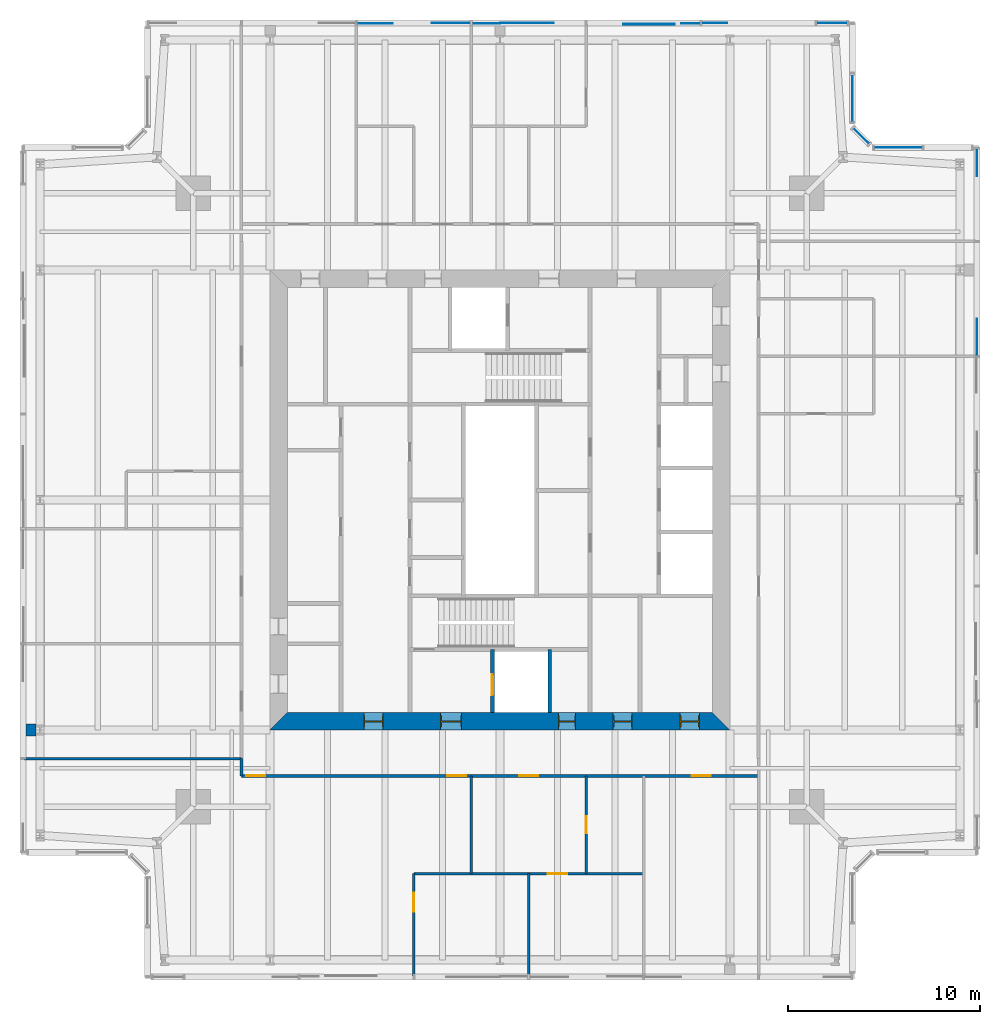
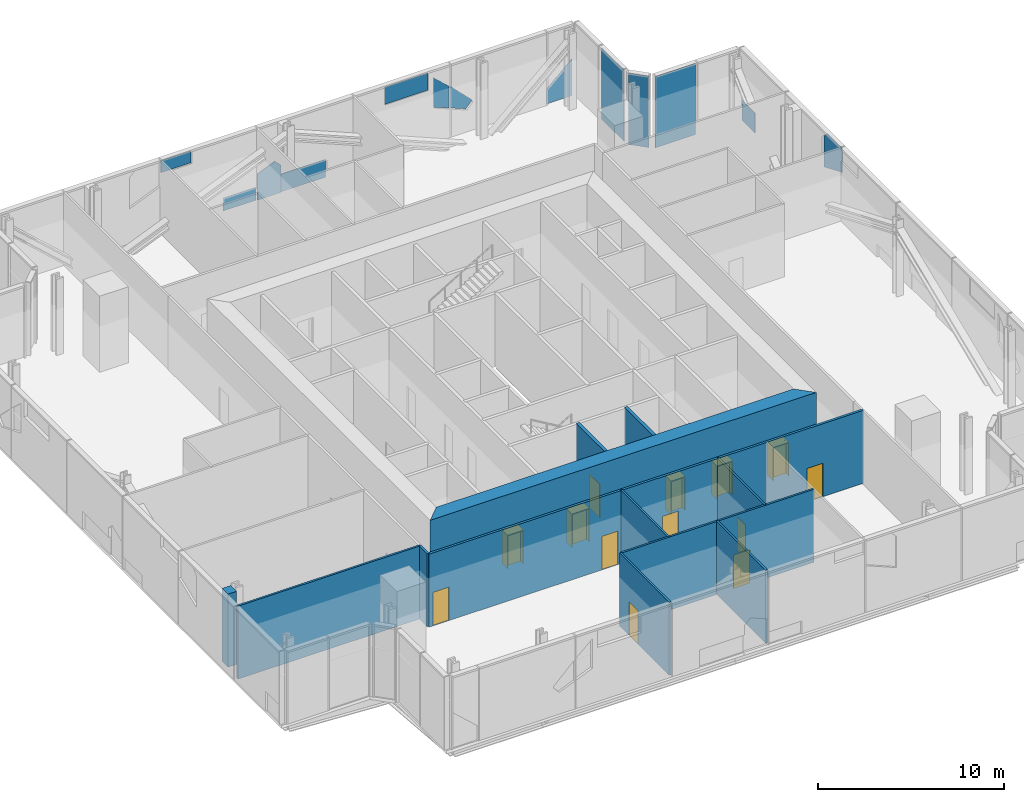
# One storey, part 7 of 15: 13 doors, 13 plates, 12 walls, 13 openings, 5 elements without a shape of their own.
"""IFC4 building model written with IfcOpenShell, lengths in metres."""

from ifc_helpers import new_model, si_unit, direction, frame, frame_2d, origin, origin_2d, place, context, subcontext, project, spatial, polyline, rectangle, outline, extrude, material, layer, layer_set, type_object, element, fill, aggregate, save


model = new_model("IFC4")

# Units and contexts
model_context = context("Model", 3, precision=1e-05, world=origin(), true_north=direction((0.0, 1.0)))
body_context = subcontext(model_context, "Body", "Model", "MODEL_VIEW")
ifc_project = project(units=[si_unit("LENGTHUNIT", "METRE"), si_unit("AREAUNIT", "SQUARE_METRE"), si_unit("VOLUMEUNIT", "CUBIC_METRE"), si_unit("PLANEANGLEUNIT", "RADIAN"), si_unit("MASSUNIT", "GRAM", prefix="KILO")], contexts=[model_context])

# Site, building, storey
site_placement = place(None, origin())
site = spatial("IfcSite", under=ifc_project, at=site_placement, CompositionType="ELEMENT")
building_placement = place(site_placement, origin())
building = spatial("IfcBuilding", under=site, at=building_placement, Name="Fenwick Lantern Interchange", CompositionType="ELEMENT")
storey_placement = place(building_placement, frame((0.0, 0.0, 296.800048828125)))
storey = spatial("IfcBuildingStorey", under=building, at=storey_placement, Name="L72", CompositionType="ELEMENT", Elevation=296.800048828125)

# Curtain wall, plates
ifc_material_1 = material(Name="Aluminium curtain wall frame", Category="aluminium")
curtain_wall_type = type_object("IfcCurtainWallType", Name="SKY LOBBY GLAZING", PredefinedType="USERDEFINED", material=ifc_material_1)
curtain_wall_1_placement = place(storey_placement, origin())
curtain_wall_1 = element("IfcCurtainWall", 1, at=curtain_wall_1_placement, inside=storey, type_object=curtain_wall_type, Name="Sky lobby glazing 05", ObjectType="SKY LOBBY GLAZING", PredefinedType="USERDEFINED")
ifc_material_2 = material(Name="Vision glass, clear laminated double glazed", Category="glass")
ifc_layer_1 = layer(ifc_material_2, 0.035888671875)
ifc_layer_set_1 = layer_set([ifc_layer_1], Name="SKY LOBBY GLAZING PANEL 36")
plate_type = type_object("IfcPlateType", Name="SKY LOBBY GLAZING PANEL 36", PredefinedType="CURTAIN_PANEL", material=ifc_layer_set_1)
plate_1_placement = place(storey_placement, frame((49.89990234375, 6.60009765625, 2.28857421875), z_axis=(0.0, 0.0, 1.0), x_axis=(0.0, 1.0, 0.0)))
plate_1 = element("IfcPlate", 2, at=plate_1_placement, type_object=plate_type, Name="L72/CW/05/P05a", PredefinedType="CURTAIN_PANEL", context=body_context, shape_type="SweptSolid", body=[
    extrude(outline(polyline([(27.85693359375, 0.0), (27.85693359375, 2.05908203125), (27.5244140625, 2.391357421875), (25.93994140625, 2.391357421875), (25.93994140625, 0.798828125), (27.85693359375, 0.0)])), frame((0.0, 0.01806640625, 0.0), z_axis=(0.0, -1.0, 0.0), x_axis=(1.0, 0.0, 0.0)), (0.0, 0.0, 1.0), 0.035888671875),
])
plate_2_placement = place(storey_placement, frame((49.89990234375, 6.60009765625, 0.0), z_axis=(0.0, 0.0, 1.0), x_axis=(0.0, 1.0, 0.0)))
plate_2 = element("IfcPlate", 3, at=plate_2_placement, type_object=plate_type, Name="L72/CW/05/P06a", PredefinedType="CURTAIN_PANEL", context=body_context, shape_type="SweptSolid", body=[
    extrude(outline(polyline([(35.2939453125, 0.0), (36.719970703125, 0.0), (36.719970703125, 1.29541015625), (35.2939453125, 1.29541015625), (35.2939453125, 0.0)])), frame((0.0, 0.01806640625, 0.0), z_axis=(0.0, -1.0, 0.0), x_axis=(1.0, 0.0, 0.0)), (0.0, 0.0, 1.0), 0.035888671875),
])
aggregate(curtain_wall_1, [plate_1, plate_2])

# Curtain wall, plate
curtain_wall_2_placement = place(storey_placement, origin())
curtain_wall_2 = element("IfcCurtainWall", 4, at=curtain_wall_2_placement, inside=storey, type_object=curtain_wall_type, Name="Sky lobby glazing 06", ObjectType="SKY LOBBY GLAZING", PredefinedType="USERDEFINED")
plate_3_placement = place(storey_placement, frame((45.788818359375, 43.39990234375, 0.0), z_axis=(0.0, 0.0, 1.0), x_axis=(-1.0, 0.0, 0.0)))
plate_3 = element("IfcPlate", 5, at=plate_3_placement, type_object=plate_type, Name="L72/CW/06/P01", PredefinedType="CURTAIN_PANEL", context=body_context, shape_type="SweptSolid", body=[
    extrude(rectangle(XDim=2.500732421875, YDim=0.035888671875, at=origin_2d()), origin(), (0.0, 0.0, 1.0), 4.679931640625),
])
aggregate(curtain_wall_2, [plate_3])

curtain_wall_3_placement = place(storey_placement, origin())
curtain_wall_3 = element("IfcCurtainWall", 6, at=curtain_wall_3_placement, inside=storey, type_object=curtain_wall_type, Name="Sky lobby glazing 07", ObjectType="SKY LOBBY GLAZING", PredefinedType="USERDEFINED")
plate_4_placement = place(storey_placement, frame((43.858642578125, 44.0, 0.0), z_axis=(0.0, 0.0, 1.0), x_axis=(-0.707106781187, 0.707106781187, 0.0)))
plate_4 = element("IfcPlate", 7, at=plate_4_placement, type_object=plate_type, Name="L72/CW/07/P00", PredefinedType="CURTAIN_PANEL", context=body_context, shape_type="SweptSolid", body=[
    extrude(rectangle(XDim=1.136962890625, YDim=0.035888671875, at=origin_2d()), origin(), (0.0, 0.0, 1.0), 4.679931640625),
])
aggregate(curtain_wall_3, [plate_4])

curtain_wall_4_placement = place(storey_placement, origin())
curtain_wall_4 = element("IfcCurtainWall", 8, at=curtain_wall_4_placement, inside=storey, type_object=curtain_wall_type, Name="Sky lobby glazing 08", ObjectType="SKY LOBBY GLAZING", PredefinedType="USERDEFINED")
plate_5_placement = place(storey_placement, frame((43.39990234375, 44.45849609375, 0.0), z_axis=(0.0, 0.0, 1.0), x_axis=(0.0, 1.0, 0.0)))
plate_5 = element("IfcPlate", 9, at=plate_5_placement, type_object=plate_type, Name="L72/CW/08/P00a", PredefinedType="CURTAIN_PANEL", context=body_context, shape_type="SweptSolid", body=[
    extrude(outline(polyline([(0.280029296875, 0.0), (2.741455078125, 0.0), (2.741455078125, 4.679931640625), (0.280029296875, 4.679931640625), (0.280029296875, 0.0)])), frame((0.0, 0.01806640625, 0.0), z_axis=(0.0, -1.0, 0.0), x_axis=(1.0, 0.0, 0.0)), (0.0, 0.0, 1.0), 0.035888671875),
])
aggregate(curtain_wall_4, [plate_5])

# Curtain wall, plates
curtain_wall_5_placement = place(storey_placement, origin())
curtain_wall_5 = element("IfcCurtainWall", 10, at=curtain_wall_5_placement, inside=storey, type_object=curtain_wall_type, Name="Sky lobby glazing 09", ObjectType="SKY LOBBY GLAZING", PredefinedType="USERDEFINED")
plate_6_placement = place(storey_placement, frame((43.39990234375, 49.89990234375, 0.0), z_axis=(0.0, 0.0, 1.0), x_axis=(-1.0, 0.0, 0.0)))
plate_6 = element("IfcPlate", 11, at=plate_6_placement, type_object=plate_type, Name="L72/CW/09/P00a", PredefinedType="CURTAIN_PANEL", context=body_context, shape_type="SweptSolid", body=[
    extrude(outline(polyline([(0.280029296875, 0.0), (1.860107421875, 0.0), (1.860107421875, 0.9736328125), (0.280029296875, 2.409912109375), (0.280029296875, 0.0)])), frame((0.0, 0.01806640625, 0.0), z_axis=(0.0, -1.0, 0.0), x_axis=(1.0, 0.0, 0.0)), (0.0, 0.0, 1.0), 0.035888671875),
])
plate_7_placement = place(storey_placement, frame((43.39990234375, 49.89990234375, 1.433837890625), z_axis=(0.0, 0.0, 1.0), x_axis=(-1.0, 0.0, 0.0)))
plate_7 = element("IfcPlate", 12, at=plate_7_placement, type_object=plate_type, Name="L72/CW/09/P01a", PredefinedType="CURTAIN_PANEL", context=body_context, shape_type="SweptSolid", body=[
    extrude(outline(polyline([(6.891845703125, 0.0), (7.860107421875, 0.403564453125), (7.860107421875, 1.812744140625), (7.64501953125, 1.61572265625), (6.548095703125, 0.5185546875), (6.548095703125, 0.386474609375), (6.891845703125, 0.0)])), frame((0.0, 0.01806640625, 0.0), z_axis=(0.0, -1.0, 0.0), x_axis=(1.0, 0.0, 0.0)), (0.0, 0.0, 1.0), 0.035888671875),
])
plate_8_placement = place(storey_placement, frame((43.39990234375, 49.89990234375, 1.87060546875), z_axis=(0.0, 0.0, 1.0), x_axis=(-1.0, 0.0, 0.0)))
plate_8 = element("IfcPlate", 13, at=plate_8_placement, type_object=plate_type, Name="L72/CW/09/P02a", PredefinedType="CURTAIN_PANEL", context=body_context, shape_type="SweptSolid", body=[
    extrude(outline(polyline([(7.93994140625, 0.0), (8.943115234375, 0.41796875), (8.943115234375, 2.36865234375), (7.93994140625, 1.44921875), (7.93994140625, 0.0)])), frame((0.0, 0.05615234375, 0.0), z_axis=(0.0, -1.0, 0.0), x_axis=(1.0, 0.0, 0.0)), (0.0, 0.0, 1.0), 0.035888671875),
])
plate_9_placement = place(storey_placement, frame((43.39990234375, 49.89990234375, 3.55322265625), z_axis=(0.0, 0.0, 1.0), x_axis=(-1.0, 0.0, 0.0)))
plate_9 = element("IfcPlate", 14, at=plate_9_placement, type_object=plate_type, Name="L72/CW/09/P02b", PredefinedType="CURTAIN_PANEL", context=body_context, shape_type="SweptSolid", body=[
    extrude(outline(polyline([(9.278076171875, 0.0), (11.978271484375, 0.0), (11.978271484375, 1.126708984375), (9.278076171875, 1.126708984375), (9.278076171875, 0.0)])), frame((0.0, 0.09375, 0.0), z_axis=(0.0, -1.0, 0.0), x_axis=(1.0, 0.0, 0.0)), (0.0, 0.0, 1.0), 0.035888671875),
])
plate_10_placement = place(storey_placement, frame((43.39990234375, 49.89990234375, 0.0), z_axis=(0.0, 0.0, 1.0), x_axis=(-1.0, 0.0, 0.0)))
plate_10 = element("IfcPlate", 15, at=plate_10_placement, type_object=plate_type, Name="L72/CW/09/P03a", PredefinedType="CURTAIN_PANEL", context=body_context, shape_type="SweptSolid", body=[
    extrude(outline(polyline([(15.60498046875, 0.0), (18.39990234375, 0.0), (18.39990234375, 1.164306640625), (15.60498046875, 1.164306640625), (15.60498046875, 0.0)])), frame((0.0, 0.01806640625, 0.0), z_axis=(0.0, -1.0, 0.0), x_axis=(1.0, 0.0, 0.0)), (0.0, 0.0, 1.0), 0.035888671875),
])
plate_11_placement = place(storey_placement, frame((43.39990234375, 49.89990234375, 0.0), z_axis=(0.0, 0.0, 1.0), x_axis=(-1.0, 0.0, 0.0)))
plate_11 = element("IfcPlate", 16, at=plate_11_placement, type_object=plate_type, Name="L72/CW/09/P03b", PredefinedType="CURTAIN_PANEL", context=body_context, shape_type="SweptSolid", body=[
    extrude(outline(polyline([(18.39990234375, 0.0), (19.860107421875, 0.0), (19.860107421875, 1.720703125), (18.770263671875, 2.174560546875), (18.39990234375, 1.804443359375), (18.39990234375, 0.0)])), frame((0.0, 0.05615234375, 0.0), z_axis=(0.0, -1.0, 0.0), x_axis=(1.0, 0.0, 0.0)), (0.0, 0.0, 1.0), 0.035888671875),
])
plate_12_placement = place(storey_placement, frame((43.39990234375, 49.89990234375, 0.0), z_axis=(0.0, 0.0, 1.0), x_axis=(-1.0, 0.0, 0.0)))
plate_12 = element("IfcPlate", 17, at=plate_12_placement, type_object=plate_type, Name="L72/CW/09/P04a", PredefinedType="CURTAIN_PANEL", context=body_context, shape_type="SweptSolid", body=[
    extrude(outline(polyline([(19.93994140625, 0.0), (21.965087890625, 0.0), (21.965087890625, 0.843505859375), (19.93994140625, 0.843505859375), (19.93994140625, 0.0)])), frame((0.0, 0.01806640625, 0.0), z_axis=(0.0, -1.0, 0.0), x_axis=(1.0, 0.0, 0.0)), (0.0, 0.0, 1.0), 0.035888671875),
])
plate_13_placement = place(storey_placement, frame((43.39990234375, 49.89990234375, 3.90087890625), z_axis=(0.0, 0.0, 1.0), x_axis=(-1.0, 0.0, 0.0)))
plate_13 = element("IfcPlate", 18, at=plate_13_placement, type_object=plate_type, Name="L72/CW/09/P04b", PredefinedType="CURTAIN_PANEL", context=body_context, shape_type="SweptSolid", body=[
    extrude(outline(polyline([(23.987548828125, 0.0), (25.860107421875, 0.0), (25.860107421875, 0.779052734375), (23.987548828125, 0.779052734375), (23.987548828125, 0.0)])), frame((0.0, 0.05615234375, 0.0), z_axis=(0.0, -1.0, 0.0), x_axis=(1.0, 0.0, 0.0)), (0.0, 0.0, 1.0), 0.035888671875),
])
aggregate(curtain_wall_5, [plate_6, plate_7, plate_8, plate_9, plate_10, plate_11, plate_12, plate_13])

# Wall
ifc_material_3 = material(Name="Fire-rated gypsum board encasement on steel studs, 2 hour", Category="steel")
ifc_layer_2 = layer(ifc_material_3, 0.631103515625)
ifc_layer_set_2 = layer_set([ifc_layer_2], Name="COLUMN PIER 631")
wall_type_1 = type_object("IfcWallType", Name="COLUMN PIER 631", PredefinedType="PARTITIONING", material=ifc_layer_set_2)
wall_1_placement = place(storey_placement, frame((0.25, 13.0, 0.0), z_axis=(0.0, 0.0, 1.0), x_axis=(1.0, 0.0, 0.0)))
element("IfcWall", 19, at=wall_1_placement, inside=storey, type_object=wall_type_1, Name="L72/W/PIER/CW4", PredefinedType="PARTITIONING", context=body_context, shape_type="SweptSolid", body=[
    extrude(rectangle(XDim=0.529052734375, YDim=0.631103515625, at=frame_2d((0.2646484375, 0.0))), origin(), (0.0, 0.0, 1.0), 4.800048828125),
])

# Wall, opening, door
ifc_material_4 = material(Name="Concrete masonry ASTM C90 Grade N", Category="masonry")
ifc_layer_3 = layer(ifc_material_4, 0.199951171875)
ifc_layer_set_3 = layer_set([ifc_layer_3], Name="Concrete masonry ASTM C90 Grade N")
wall_type_2 = type_object("IfcWallType", Name="CORE PARTITION 200", PredefinedType="PARTITIONING", material=ifc_layer_set_3)
wall_2_placement = place(storey_placement, frame((24.60009765625, 13.89990234375, 0.0), z_axis=(0.0, 0.0, 1.0), x_axis=(0.0, 1.0, 0.0)))
wall_2 = element("IfcWall", 20, at=wall_2_placement, inside=storey, type_object=wall_type_2, Name="L72/W/CORES/h1", PredefinedType="PARTITIONING", context=body_context, shape_type="SweptSolid", body=[
    extrude(rectangle(XDim=3.300048828125, YDim=0.199951171875, at=frame_2d((1.64990234375, 0.0))), origin(), (0.0, 0.0, 1.0), 4.800048828125),
])
opening_1_placement = place(wall_2_placement, frame((0.89990234375, 0.0, 0.0)))
opening_1 = element("IfcOpeningElement", 21, at=opening_1_placement, cuts=wall_2, Name="Opening LD-FL1", PredefinedType="OPENING", context=body_context, shape_type="SweptSolid", body=[
    extrude(rectangle(XDim=1.10009765625, YDim=2.199951171875, at=frame_2d((0.550048828125, 1.10009765625))), frame((0.0, 0.10986328125, 0.0), z_axis=(0.0, -1.0, 0.0), x_axis=(1.0, 0.0, 0.0)), (0.0, 0.0, 1.0), 0.219970703125),
])
ifc_material_5 = material(Name="Steel door and frame", Category="steel")
door_type_1 = type_object("IfcDoorType", Name="LIFT LANDING DOOR 1100 X 2200", OperationType="DOUBLE_DOOR_SLIDING", PredefinedType="DOOR", material=ifc_material_5)
door_1_placement = place(opening_1_placement, origin())
door_1 = element("IfcDoor", 22, at=door_1_placement, inside=storey, type_object=door_type_1, Name="Lift landing door FL1", OperationType="DOUBLE_DOOR_SLIDING", OverallHeight=2.199951171875, OverallWidth=1.10009765625, PredefinedType="DOOR", context=body_context, shape_type="SweptSolid", body=[
    extrude(rectangle(XDim=1.10009765625, YDim=2.199951171875, at=frame_2d((0.550048828125, 1.10009765625))), frame((0.0, 0.02490234375, 0.0), z_axis=(0.0, -1.0, 0.0), x_axis=(1.0, 0.0, 0.0)), (0.0, 0.0, 1.0), 0.050048828125),
])
fill(opening_1, door_1)

# Wall
wall_3_placement = place(storey_placement, frame((27.60009765625, 13.89990234375, 0.0), z_axis=(0.0, 0.0, 1.0), x_axis=(0.0, 1.0, 0.0)))
element("IfcWall", 23, at=wall_3_placement, inside=storey, type_object=wall_type_2, Name="L72/W/CORES/h2", PredefinedType="PARTITIONING", context=body_context, shape_type="SweptSolid", body=[
    extrude(rectangle(XDim=3.300048828125, YDim=0.199951171875, at=frame_2d((1.64990234375, 0.0))), origin(), (0.0, 0.0, 1.0), 4.800048828125),
])

# Wall, openings, doors
ifc_material_6 = material(Name="Concrete f'c 70 MPa", Category="concrete")
ifc_layer_4 = layer(ifc_material_6, 0.89990234375)
ifc_layer_set_4 = layer_set([ifc_layer_4], Name="CORE WALL 900")
wall_type_3 = type_object("IfcWallType", Name="CORE WALL 900", PredefinedType="SHEAR", material=ifc_layer_set_4)
wall_4_placement = place(storey_placement, frame((13.0, 13.449951171875, 0.0), z_axis=(0.0, 0.0, 1.0), x_axis=(1.0, 0.0, 0.0)))
wall_4 = element("IfcWall", 24, at=wall_4_placement, inside=storey, type_object=wall_type_3, Name="L72/CORE/S", PredefinedType="SHEAR", context=body_context, shape_type="SweptSolid", body=[
    extrude(outline(polyline([(0.0, -0.449951171875), (24.0, -0.449951171875), (23.10009765625, 0.449951171875), (0.89990234375, 0.449951171875), (0.0, -0.449951171875)])), origin(), (0.0, 0.0, 1.0), 5.0),
])
opening_2_placement = place(wall_4_placement, frame((4.89990234375, 0.0, 0.0)))
opening_2 = element("IfcOpeningElement", 25, at=opening_2_placement, cuts=wall_4, Name="Opening L72-D001", PredefinedType="OPENING", context=body_context, shape_type="SweptSolid", body=[
    extrude(rectangle(XDim=1.0, YDim=2.199951171875, at=frame_2d((0.5, 1.10009765625))), frame((0.0, 0.4599609375, 0.0), z_axis=(0.0, -1.0, 0.0), x_axis=(1.0, 0.0, 0.0)), (0.0, 0.0, 1.0), 0.919921875),
])
opening_3_placement = place(wall_4_placement, frame((8.89990234375, 0.0, 0.0)))
opening_3 = element("IfcOpeningElement", 26, at=opening_3_placement, cuts=wall_4, Name="Opening L72-D002", PredefinedType="OPENING", context=body_context, shape_type="SweptSolid", body=[
    extrude(rectangle(XDim=1.10009765625, YDim=2.199951171875, at=frame_2d((0.550048828125, 1.10009765625))), frame((0.0, 0.4599609375, 0.0), z_axis=(0.0, -1.0, 0.0), x_axis=(1.0, 0.0, 0.0)), (0.0, 0.0, 1.0), 0.919921875),
])
opening_4_placement = place(wall_4_placement, frame((15.050048828125, 0.0, 0.0)))
opening_4 = element("IfcOpeningElement", 27, at=opening_4_placement, cuts=wall_4, Name="Opening L72-D004", PredefinedType="OPENING", context=body_context, shape_type="SweptSolid", body=[
    extrude(rectangle(XDim=0.89990234375, YDim=2.199951171875, at=frame_2d((0.449951171875, 1.10009765625))), frame((0.0, 0.4599609375, 0.0), z_axis=(0.0, -1.0, 0.0), x_axis=(1.0, 0.0, 0.0)), (0.0, 0.0, 1.0), 0.919921875),
])
opening_5_placement = place(wall_4_placement, frame((17.89990234375, 0.0, 0.0)))
opening_5 = element("IfcOpeningElement", 28, at=opening_5_placement, cuts=wall_4, Name="Opening L72-D005", PredefinedType="OPENING", context=body_context, shape_type="SweptSolid", body=[
    extrude(rectangle(XDim=1.0, YDim=2.199951171875, at=frame_2d((0.5, 1.10009765625))), frame((0.0, 0.4599609375, 0.0), z_axis=(0.0, -1.0, 0.0), x_axis=(1.0, 0.0, 0.0)), (0.0, 0.0, 1.0), 0.919921875),
])
opening_6_placement = place(wall_4_placement, frame((21.39990234375, 0.0, 0.0)))
opening_6 = element("IfcOpeningElement", 29, at=opening_6_placement, cuts=wall_4, Name="Opening L72-D006", PredefinedType="OPENING", context=body_context, shape_type="SweptSolid", body=[
    extrude(rectangle(XDim=1.0, YDim=2.199951171875, at=frame_2d((0.5, 1.10009765625))), frame((0.0, 0.4599609375, 0.0), z_axis=(0.0, -1.0, 0.0), x_axis=(1.0, 0.0, 0.0)), (0.0, 0.0, 1.0), 0.919921875),
])
door_type_2 = type_object("IfcDoorType", Name="CORE LOBBY DOOR 1000 X 2200", OperationType="SINGLE_SWING_LEFT", PredefinedType="DOOR", material=ifc_material_5)
door_2_placement = place(opening_2_placement, origin())
door_2 = element("IfcDoor", 30, at=door_2_placement, inside=storey, type_object=door_type_2, Name="Core lobby door", OperationType="SINGLE_SWING_LEFT", OverallHeight=2.199951171875, OverallWidth=1.0, PredefinedType="DOOR", context=body_context, shape_type="SweptSolid", body=[
    extrude(rectangle(XDim=1.0, YDim=2.199951171875, at=frame_2d((0.5, 1.10009765625))), frame((0.0, 0.02490234375, 0.0), z_axis=(0.0, -1.0, 0.0), x_axis=(1.0, 0.0, 0.0)), (0.0, 0.0, 1.0), 0.050048828125),
    extrude(outline(polyline([(0.0, 0.0), (0.0400390625, 0.0), (0.0400390625, 2.159912109375), (0.9599609375, 2.159912109375), (0.9599609375, 0.0), (1.0, 0.0), (1.0, 2.199951171875), (0.0, 2.199951171875), (0.0, 0.0)])), frame((0.0, 0.300048828125, 0.0), z_axis=(0.0, -1.0, 0.0), x_axis=(1.0, 0.0, 0.0)), (0.0, 0.0, 1.0), 0.60009765625),
])
fill(opening_2, door_2)
door_type_3 = type_object("IfcDoorType", Name="FIRE LOBBY DOOR 1100 X 2200", OperationType="SINGLE_SWING_LEFT", PredefinedType="DOOR", material=ifc_material_5)
door_3_placement = place(opening_3_placement, origin())
door_3 = element("IfcDoor", 31, at=door_3_placement, inside=storey, type_object=door_type_3, Name="Fire lobby door", OperationType="SINGLE_SWING_LEFT", OverallHeight=2.199951171875, OverallWidth=1.10009765625, PredefinedType="DOOR", context=body_context, shape_type="SweptSolid", body=[
    extrude(rectangle(XDim=1.10009765625, YDim=2.199951171875, at=frame_2d((0.550048828125, 1.10009765625))), frame((0.0, 0.02490234375, 0.0), z_axis=(0.0, -1.0, 0.0), x_axis=(1.0, 0.0, 0.0)), (0.0, 0.0, 1.0), 0.050048828125),
    extrude(outline(polyline([(0.0, 0.0), (0.0400390625, 0.0), (0.0400390625, 2.159912109375), (1.06005859375, 2.159912109375), (1.06005859375, 0.0), (1.10009765625, 0.0), (1.10009765625, 2.199951171875), (0.0, 2.199951171875), (0.0, 0.0)])), frame((0.0, 0.300048828125, 0.0), z_axis=(0.0, -1.0, 0.0), x_axis=(1.0, 0.0, 0.0)), (0.0, 0.0, 1.0), 0.60009765625),
])
fill(opening_3, door_3)
door_type_4 = type_object("IfcDoorType", Name="SERVICE DOOR 900 X 2200", OperationType="SINGLE_SWING_LEFT", PredefinedType="DOOR", material=ifc_material_5)
door_4_placement = place(opening_4_placement, origin())
door_4 = element("IfcDoor", 32, at=door_4_placement, inside=storey, type_object=door_type_4, Name="Service door", OperationType="SINGLE_SWING_LEFT", OverallHeight=2.199951171875, OverallWidth=0.89990234375, PredefinedType="DOOR", context=body_context, shape_type="SweptSolid", body=[
    extrude(rectangle(XDim=0.89990234375, YDim=2.199951171875, at=frame_2d((0.449951171875, 1.10009765625))), frame((0.0, 0.02490234375, 0.0), z_axis=(0.0, -1.0, 0.0), x_axis=(1.0, 0.0, 0.0)), (0.0, 0.0, 1.0), 0.050048828125),
    extrude(outline(polyline([(0.0, 0.0), (0.0400390625, 0.0), (0.0400390625, 2.159912109375), (0.85986328125, 2.159912109375), (0.85986328125, 0.0), (0.89990234375, 0.0), (0.89990234375, 2.199951171875), (0.0, 2.199951171875), (0.0, 0.0)])), frame((0.0, 0.300048828125, 0.0), z_axis=(0.0, -1.0, 0.0), x_axis=(1.0, 0.0, 0.0)), (0.0, 0.0, 1.0), 0.60009765625),
])
fill(opening_4, door_4)
ifc_material_7 = material(Name="Hardwood door and steel frame", Category="steel")
door_type_5 = type_object("IfcDoorType", Name="WC DOOR 1000 X 2200", OperationType="SINGLE_SWING_LEFT", PredefinedType="DOOR", material=ifc_material_7)
door_5_placement = place(opening_5_placement, origin())
door_5 = element("IfcDoor", 33, at=door_5_placement, inside=storey, type_object=door_type_5, Name="Wc door", OperationType="SINGLE_SWING_RIGHT", OverallHeight=2.199951171875, OverallWidth=1.0, PredefinedType="DOOR", context=body_context, shape_type="SweptSolid", body=[
    extrude(rectangle(XDim=1.0, YDim=2.199951171875, at=frame_2d((0.5, 1.10009765625))), frame((0.0, 0.02490234375, 0.0), z_axis=(0.0, -1.0, 0.0), x_axis=(1.0, 0.0, 0.0)), (0.0, 0.0, 1.0), 0.050048828125),
    extrude(outline(polyline([(0.0, 0.0), (0.0400390625, 0.0), (0.0400390625, 2.159912109375), (0.9599609375, 2.159912109375), (0.9599609375, 0.0), (1.0, 0.0), (1.0, 2.199951171875), (0.0, 2.199951171875), (0.0, 0.0)])), frame((0.0, 0.300048828125, 0.0), z_axis=(0.0, -1.0, 0.0), x_axis=(1.0, 0.0, 0.0)), (0.0, 0.0, 1.0), 0.60009765625),
])
fill(opening_5, door_5)
door_6_placement = place(opening_6_placement, origin())
door_6 = element("IfcDoor", 34, at=door_6_placement, inside=storey, type_object=door_type_5, Name="Wc door", OperationType="SINGLE_SWING_RIGHT", OverallHeight=2.199951171875, OverallWidth=1.0, PredefinedType="DOOR", context=body_context, shape_type="SweptSolid", body=[
    extrude(rectangle(XDim=1.0, YDim=2.199951171875, at=frame_2d((0.5, 1.10009765625))), frame((0.0, 0.02490234375, 0.0), z_axis=(0.0, -1.0, 0.0), x_axis=(1.0, 0.0, 0.0)), (0.0, 0.0, 1.0), 0.050048828125),
    extrude(outline(polyline([(0.0, 0.0), (0.0400390625, 0.0), (0.0400390625, 2.159912109375), (0.9599609375, 2.159912109375), (0.9599609375, 0.0), (1.0, 0.0), (1.0, 2.199951171875), (0.0, 2.199951171875), (0.0, 0.0)])), frame((0.0, 0.300048828125, 0.0), z_axis=(0.0, -1.0, 0.0), x_axis=(1.0, 0.0, 0.0)), (0.0, 0.0, 1.0), 0.60009765625),
])
fill(opening_6, door_6)

# Wall
ifc_material_8 = material(Name="Gypsum board on steel studs, 1 hour", Category="steel")
ifc_layer_5 = layer(ifc_material_8, 0.14990234375)
ifc_layer_set_5 = layer_set([ifc_layer_5], Name="CORRIDOR WALL 150")
wall_type_4 = type_object("IfcWallType", Name="CORRIDOR WALL 150", PredefinedType="PARTITIONING", material=ifc_layer_set_5)
wall_5_placement = place(storey_placement, frame((11.5, 11.5, 0.0), z_axis=(0.0, 0.0, 1.0), x_axis=(0.0, -1.0, 0.0)))
element("IfcWall", 35, at=wall_5_placement, inside=storey, type_object=wall_type_4, Name="L72/W/OFF/S/CWJ", PredefinedType="PARTITIONING", context=body_context, shape_type="SweptSolid", body=[
    extrude(rectangle(XDim=0.89990234375, YDim=0.14990234375, at=frame_2d((0.449951171875, 0.0))), origin(), (0.0, 0.0, 1.0), 4.800048828125),
])

# Wall, openings, doors
wall_6_placement = place(storey_placement, frame((11.5, 10.60009765625, 0.0), z_axis=(0.0, 0.0, 1.0), x_axis=(1.0, 0.0, 0.0)))
wall_6 = element("IfcWall", 36, at=wall_6_placement, inside=storey, type_object=wall_type_4, Name="L72/W/OFF/S/CW2", PredefinedType="PARTITIONING", context=body_context, shape_type="SweptSolid", body=[
    extrude(rectangle(XDim=27.0, YDim=0.14990234375, at=frame_2d((13.5, 0.0))), origin(), (0.0, 0.0, 1.0), 4.800048828125),
])
opening_7_placement = place(wall_6_placement, frame((0.25, 0.0, 0.0)))
opening_7 = element("IfcOpeningElement", 37, at=opening_7_placement, cuts=wall_6, Name="Opening L72-D025", PredefinedType="OPENING", context=body_context, shape_type="SweptSolid", body=[
    extrude(rectangle(XDim=1.0, YDim=2.199951171875, at=frame_2d((0.5, 1.10009765625))), frame((0.0, 0.0849609375, 0.0), z_axis=(0.0, -1.0, 0.0), x_axis=(1.0, 0.0, 0.0)), (0.0, 0.0, 1.0), 0.169921875),
])
opening_8_placement = place(wall_6_placement, frame((10.75, 0.0, 0.0)))
opening_8 = element("IfcOpeningElement", 38, at=opening_8_placement, cuts=wall_6, Name="Opening L72-D026", PredefinedType="OPENING", context=body_context, shape_type="SweptSolid", body=[
    extrude(rectangle(XDim=1.0, YDim=2.199951171875, at=frame_2d((0.5, 1.10009765625))), frame((0.0, 0.0849609375, 0.0), z_axis=(0.0, -1.0, 0.0), x_axis=(1.0, 0.0, 0.0)), (0.0, 0.0, 1.0), 0.169921875),
])
opening_9_placement = place(wall_6_placement, frame((14.5, 0.0, 0.0)))
opening_9 = element("IfcOpeningElement", 39, at=opening_9_placement, cuts=wall_6, Name="Opening L72-D028", PredefinedType="OPENING", context=body_context, shape_type="SweptSolid", body=[
    extrude(rectangle(XDim=1.0, YDim=2.199951171875, at=frame_2d((0.5, 1.10009765625))), frame((0.0, 0.0849609375, 0.0), z_axis=(0.0, -1.0, 0.0), x_axis=(1.0, 0.0, 0.0)), (0.0, 0.0, 1.0), 0.169921875),
])
opening_10_placement = place(wall_6_placement, frame((23.5, 0.0, 0.0)))
opening_10 = element("IfcOpeningElement", 40, at=opening_10_placement, cuts=wall_6, Name="Opening L72-D031", PredefinedType="OPENING", context=body_context, shape_type="SweptSolid", body=[
    extrude(rectangle(XDim=1.0, YDim=2.199951171875, at=frame_2d((0.5, 1.10009765625))), frame((0.0, 0.0849609375, 0.0), z_axis=(0.0, -1.0, 0.0), x_axis=(1.0, 0.0, 0.0)), (0.0, 0.0, 1.0), 0.169921875),
])
door_type_6 = type_object("IfcDoorType", Name="SUITE ENTRANCE DOOR 1000 X 2200", OperationType="SINGLE_SWING_LEFT", PredefinedType="DOOR", material=ifc_material_5)
door_7_placement = place(opening_7_placement, origin())
door_7 = element("IfcDoor", 41, at=door_7_placement, inside=storey, type_object=door_type_6, Name="Suite entrance door", OperationType="SINGLE_SWING_LEFT", OverallHeight=2.199951171875, OverallWidth=1.0, PredefinedType="DOOR", context=body_context, shape_type="SweptSolid", body=[
    extrude(rectangle(XDim=1.0, YDim=2.199951171875, at=frame_2d((0.5, 1.10009765625))), frame((0.0, 0.02490234375, 0.0), z_axis=(0.0, -1.0, 0.0), x_axis=(1.0, 0.0, 0.0)), (0.0, 0.0, 1.0), 0.050048828125),
])
fill(opening_7, door_7)
door_8_placement = place(opening_8_placement, origin())
door_8 = element("IfcDoor", 42, at=door_8_placement, inside=storey, type_object=door_type_6, Name="Suite entrance door", OperationType="SINGLE_SWING_LEFT", OverallHeight=2.199951171875, OverallWidth=1.0, PredefinedType="DOOR", context=body_context, shape_type="SweptSolid", body=[
    extrude(rectangle(XDim=1.0, YDim=2.199951171875, at=frame_2d((0.5, 1.10009765625))), frame((0.0, 0.02490234375, 0.0), z_axis=(0.0, -1.0, 0.0), x_axis=(1.0, 0.0, 0.0)), (0.0, 0.0, 1.0), 0.050048828125),
])
fill(opening_8, door_8)
door_9_placement = place(opening_9_placement, origin())
door_9 = element("IfcDoor", 43, at=door_9_placement, inside=storey, type_object=door_type_6, Name="Suite entrance door", OperationType="SINGLE_SWING_RIGHT", OverallHeight=2.199951171875, OverallWidth=1.0, PredefinedType="DOOR", context=body_context, shape_type="SweptSolid", body=[
    extrude(rectangle(XDim=1.0, YDim=2.199951171875, at=frame_2d((0.5, 1.10009765625))), frame((0.0, 0.02490234375, 0.0), z_axis=(0.0, -1.0, 0.0), x_axis=(1.0, 0.0, 0.0)), (0.0, 0.0, 1.0), 0.050048828125),
])
fill(opening_9, door_9)
door_10_placement = place(opening_10_placement, frame((1.0, 0.0, 0.0), z_axis=(0.0, 0.0, 1.0), x_axis=(-1.0, 0.0, 0.0)))
door_10 = element("IfcDoor", 44, at=door_10_placement, inside=storey, type_object=door_type_6, Name="Suite entrance door", OperationType="SINGLE_SWING_RIGHT", OverallHeight=2.199951171875, OverallWidth=1.0, PredefinedType="DOOR", context=body_context, shape_type="SweptSolid", body=[
    extrude(rectangle(XDim=1.0, YDim=2.199951171875, at=frame_2d((0.5, 1.10009765625))), frame((0.0, 0.02490234375, 0.0), z_axis=(0.0, -1.0, 0.0), x_axis=(1.0, 0.0, 0.0)), (0.0, 0.0, 1.0), 0.050048828125),
])
fill(opening_10, door_10)

# Wall
ifc_material_9 = material(Name="Gypsum board on steel studs, acoustic", Category="steel")
ifc_layer_6 = layer(ifc_material_9, 0.125)
ifc_layer_set_6 = layer_set([ifc_layer_6], Name="OFFICE PARTITION 125")
wall_type_5 = type_object("IfcWallType", Name="OFFICE PARTITION 125", PredefinedType="PARTITIONING", material=ifc_layer_set_6)
wall_7_placement = place(storey_placement, frame((0.14990234375, 11.5, 0.0), z_axis=(0.0, 0.0, 1.0), x_axis=(1.0, 0.0, 0.0)))
element("IfcWall", 45, at=wall_7_placement, inside=storey, type_object=wall_type_5, Name="L72/W/OFF/S/BACK", PredefinedType="PARTITIONING", context=body_context, shape_type="SweptSolid", body=[
    extrude(rectangle(XDim=11.35009765625, YDim=0.125, at=frame_2d((5.675048828125, 0.0))), origin(), (0.0, 0.0, 1.0), 4.800048828125),
])

# Wall, opening, door
wall_8_placement = place(storey_placement, frame((20.5, 0.14990234375, 0.0), z_axis=(0.0, 0.0, 1.0), x_axis=(0.0, 1.0, 0.0)))
wall_8 = element("IfcWall", 46, at=wall_8_placement, inside=storey, type_object=wall_type_5, Name="L72/W/OFF/S/X205-1", PredefinedType="PARTITIONING", context=body_context, shape_type="SweptSolid", body=[
    extrude(rectangle(XDim=5.35009765625, YDim=0.125, at=frame_2d((2.675048828125, 0.0))), origin(), (0.0, 0.0, 1.0), 4.800048828125),
])
opening_11_placement = place(wall_8_placement, frame((3.35009765625, 0.0, 0.0)))
opening_11 = element("IfcOpeningElement", 47, at=opening_11_placement, cuts=wall_8, Name="Opening L72-D027", PredefinedType="OPENING", context=body_context, shape_type="SweptSolid", body=[
    extrude(rectangle(XDim=1.0, YDim=2.199951171875, at=frame_2d((0.5, 1.10009765625))), frame((0.0, 0.072509765625, 0.0), z_axis=(0.0, -1.0, 0.0), x_axis=(1.0, 0.0, 0.0)), (0.0, 0.0, 1.0), 0.14501953125),
])
door_type_7 = type_object("IfcDoorType", Name="MEETING ROOM DOOR 1000 X 2200", OperationType="SINGLE_SWING_LEFT", PredefinedType="DOOR", material=ifc_material_7)
door_11_placement = place(opening_11_placement, frame((1.0, 0.0, 0.0), z_axis=(0.0, 0.0, 1.0), x_axis=(-1.0, 0.0, 0.0)))
door_11 = element("IfcDoor", 48, at=door_11_placement, inside=storey, type_object=door_type_7, Name="Meeting room door", OperationType="SINGLE_SWING_LEFT", OverallHeight=2.199951171875, OverallWidth=1.0, PredefinedType="DOOR", context=body_context, shape_type="SweptSolid", body=[
    extrude(rectangle(XDim=1.0, YDim=2.199951171875, at=frame_2d((0.5, 1.10009765625))), frame((0.0, 0.02490234375, 0.0), z_axis=(0.0, -1.0, 0.0), x_axis=(1.0, 0.0, 0.0)), (0.0, 0.0, 1.0), 0.050048828125),
])
fill(opening_11, door_11)

# Walls
wall_9_placement = place(storey_placement, frame((23.5, 5.5, 0.0), z_axis=(0.0, 0.0, 1.0), x_axis=(0.0, 1.0, 0.0)))
element("IfcWall", 49, at=wall_9_placement, inside=storey, type_object=wall_type_5, Name="L72/W/OFF/S/X235-1", PredefinedType="PARTITIONING", context=body_context, shape_type="SweptSolid", body=[
    extrude(rectangle(XDim=5.10009765625, YDim=0.125, at=frame_2d((2.550048828125, 0.0))), origin(), (0.0, 0.0, 1.0), 4.800048828125),
])
wall_10_placement = place(storey_placement, frame((26.5, 0.14990234375, 0.0), z_axis=(0.0, 0.0, 1.0), x_axis=(0.0, 1.0, 0.0)))
element("IfcWall", 50, at=wall_10_placement, inside=storey, type_object=wall_type_5, Name="L72/W/OFF/S/X265-1", PredefinedType="PARTITIONING", context=body_context, shape_type="SweptSolid", body=[
    extrude(rectangle(XDim=5.35009765625, YDim=0.125, at=frame_2d((2.675048828125, 0.0))), origin(), (0.0, 0.0, 1.0), 4.800048828125),
])

# Wall, opening, door
wall_11_placement = place(storey_placement, frame((29.5, 5.5, 0.0), z_axis=(0.0, 0.0, 1.0), x_axis=(0.0, 1.0, 0.0)))
wall_11 = element("IfcWall", 51, at=wall_11_placement, inside=storey, type_object=wall_type_5, Name="L72/W/OFF/S/X295-1", PredefinedType="PARTITIONING", context=body_context, shape_type="SweptSolid", body=[
    extrude(rectangle(XDim=5.10009765625, YDim=0.125, at=frame_2d((2.550048828125, 0.0))), origin(), (0.0, 0.0, 1.0), 4.800048828125),
])
opening_12_placement = place(wall_11_placement, frame((2.10009765625, 0.0, 0.0)))
opening_12 = element("IfcOpeningElement", 52, at=opening_12_placement, cuts=wall_11, Name="Opening L72-D029", PredefinedType="OPENING", context=body_context, shape_type="SweptSolid", body=[
    extrude(rectangle(XDim=0.89990234375, YDim=2.199951171875, at=frame_2d((0.449951171875, 1.10009765625))), frame((0.0, 0.072509765625, 0.0), z_axis=(0.0, -1.0, 0.0), x_axis=(1.0, 0.0, 0.0)), (0.0, 0.0, 1.0), 0.14501953125),
])
door_type_8 = type_object("IfcDoorType", Name="OFFICE DOOR 900 X 2200", OperationType="SINGLE_SWING_LEFT", PredefinedType="DOOR", material=ifc_material_7)
door_12_placement = place(opening_12_placement, frame((0.89990234375, 0.0, 0.0), z_axis=(0.0, 0.0, 1.0), x_axis=(-1.0, 0.0, 0.0)))
door_12 = element("IfcDoor", 53, at=door_12_placement, inside=storey, type_object=door_type_8, Name="Office door", OperationType="SINGLE_SWING_RIGHT", OverallHeight=2.199951171875, OverallWidth=0.89990234375, PredefinedType="DOOR", context=body_context, shape_type="SweptSolid", body=[
    extrude(rectangle(XDim=0.89990234375, YDim=2.199951171875, at=frame_2d((0.449951171875, 1.10009765625))), frame((0.0, 0.02490234375, 0.0), z_axis=(0.0, -1.0, 0.0), x_axis=(1.0, 0.0, 0.0)), (0.0, 0.0, 1.0), 0.050048828125),
])
fill(opening_12, door_12)

wall_12_placement = place(storey_placement, frame((20.5, 5.5, 0.0), z_axis=(0.0, 0.0, 1.0), x_axis=(1.0, 0.0, 0.0)))
wall_12 = element("IfcWall", 54, at=wall_12_placement, inside=storey, type_object=wall_type_5, Name="L72/W/OFF/S/Y55-1", PredefinedType="PARTITIONING", context=body_context, shape_type="SweptSolid", body=[
    extrude(rectangle(XDim=12.0, YDim=0.125, at=frame_2d((6.0, 0.0))), origin(), (0.0, 0.0, 1.0), 4.800048828125),
])
opening_13_placement = place(wall_12_placement, frame((7.0, 0.0, 0.0)))
opening_13 = element("IfcOpeningElement", 55, at=opening_13_placement, cuts=wall_12, Name="Opening L72-D030", PredefinedType="OPENING", context=body_context, shape_type="SweptSolid", body=[
    extrude(rectangle(XDim=1.0, YDim=2.199951171875, at=frame_2d((0.5, 1.10009765625))), frame((0.0, 0.072509765625, 0.0), z_axis=(0.0, -1.0, 0.0), x_axis=(1.0, 0.0, 0.0)), (0.0, 0.0, 1.0), 0.14501953125),
])
door_13_placement = place(opening_13_placement, frame((1.0, 0.0, 0.0), z_axis=(0.0, 0.0, 1.0), x_axis=(-1.0, 0.0, 0.0)))
door_13 = element("IfcDoor", 56, at=door_13_placement, inside=storey, type_object=door_type_7, Name="Meeting room door", OperationType="SINGLE_SWING_RIGHT", OverallHeight=2.199951171875, OverallWidth=1.0, PredefinedType="DOOR", context=body_context, shape_type="SweptSolid", body=[
    extrude(rectangle(XDim=1.0, YDim=2.199951171875, at=frame_2d((0.5, 1.10009765625))), frame((0.0, 0.02490234375, 0.0), z_axis=(0.0, -1.0, 0.0), x_axis=(1.0, 0.0, 0.0)), (0.0, 0.0, 1.0), 0.050048828125),
])
fill(opening_13, door_13)

save(model, "model.ifc")
